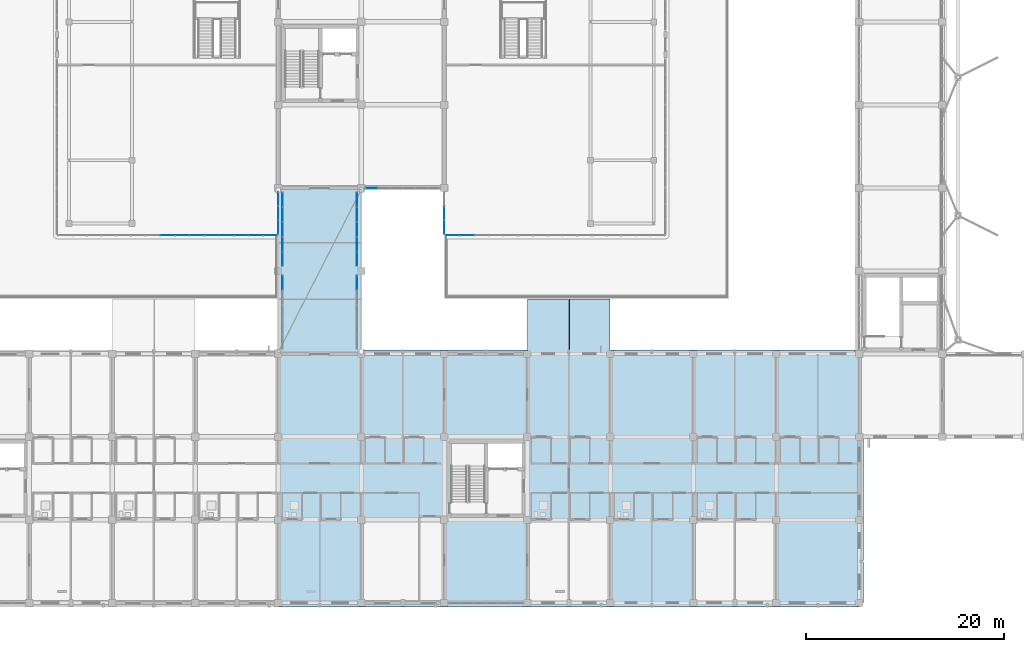
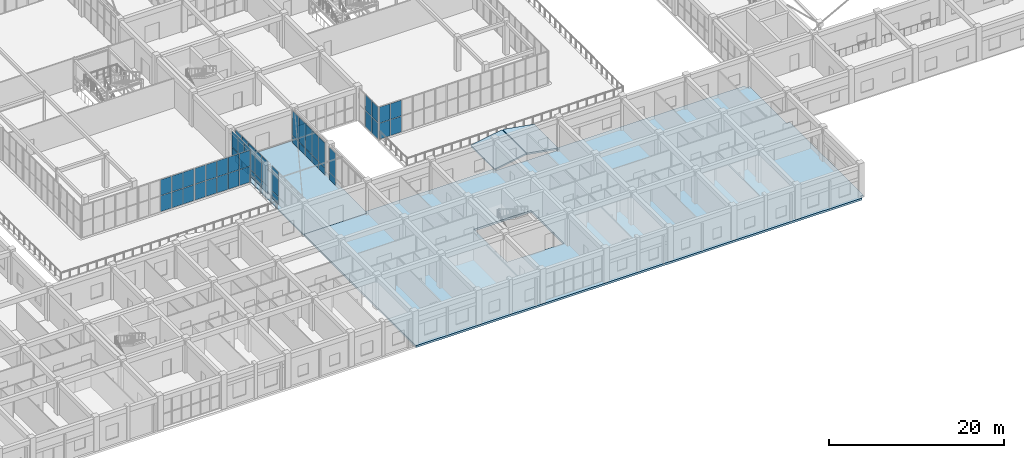
# One storey, part 104 of 158: 55 plates, 4 slabs, 10 elements without a shape of their own.
"""IFC4 building model written with IfcOpenShell, lengths in metres."""

import ifcopenshell
import ifcopenshell.guid

model = None  # the IFC model being written
_history = None  # IfcOwnerHistory: only IFC2X3 demands one
_inside = {}  # id of a spatial element -> (the spatial element, [elements in it])
_under = {}  # id of a project, library or spatial element -> (it, [spatial elements below it])
_declared = {}  # id of a project -> (the project, [libraries it declares])
_typed = {}  # id of a type object -> (the type object, [elements of that type])
_made_of = {}  # id of a material, layer set ... -> (it, [elements and type objects made of it])


def new_model(schema):
    """Start an empty IFC model of exactly this schema.

    Asked for "IFC4X3", IfcOpenShell would pick the latest addendum, in which some entities
    have other attributes; the version numbers below select the first issue.
    IFC2X3 requires an IfcOwnerHistory on every rooted entity: one is made here for all.
    """
    global model, _history
    if schema == "IFC4X3":
        model = ifcopenshell.file(schema_version=(4, 3, 0, 0))
    else:
        model = ifcopenshell.file(schema=schema)
    _inside.clear()
    _under.clear()
    _declared.clear()
    _typed.clear()
    _made_of.clear()
    _history = None
    if model.schema == "IFC2X3":
        org = make("IfcOrganization", Name="unknown")
        user = make(
            "IfcPersonAndOrganization",
            ThePerson=make("IfcPerson", FamilyName="unknown"),
            TheOrganization=org,
        )
        app = make(
            "IfcApplication",
            ApplicationDeveloper=org,
            Version="unknown",
            ApplicationFullName="unknown",
            ApplicationIdentifier="unknown",
        )
        _history = make(
            "IfcOwnerHistory",
            OwningUser=user,
            OwningApplication=app,
            ChangeAction="ADDED",
            CreationDate=0,
        )
    return model


def make(cls, **values):
    """One entity of the class cls with the attributes given. An attribute that is None is left unset."""
    return model.create_entity(
        cls, **{name: value for name, value in values.items() if value is not None}
    )


def rooted(cls, **values):
    """An entity with a GlobalId (a new one), such as an element, a storey or a relation."""
    return make(cls, GlobalId=ifcopenshell.guid.new(), OwnerHistory=_history, **values)


def si_unit(unit_type, name, prefix=None):
    """IfcSIUnit, for example si_unit("LENGTHUNIT", "METRE", prefix="MILLI")."""
    return make("IfcSIUnit", UnitType=unit_type, Prefix=prefix, Name=name)


def assignment(units):
    """IfcUnitAssignment: the units of a project."""
    return None if units is None else make("IfcUnitAssignment", Units=units)


def point(xyz):
    """IfcCartesianPoint."""
    return None if xyz is None else make("IfcCartesianPoint", Coordinates=xyz)


def direction(xyz):
    """IfcDirection."""
    return None if xyz is None else make("IfcDirection", DirectionRatios=xyz)


def frame(location, z_axis=None, x_axis=None):
    """IfcAxis2Placement3D, a coordinate frame: its origin and axes. An axis left out is left unset."""
    return make(
        "IfcAxis2Placement3D",
        Location=point(location),
        Axis=direction(z_axis),
        RefDirection=direction(x_axis),
    )


def frame_2d(location, x_axis=None):
    """IfcAxis2Placement2D, a coordinate frame in the plane: its origin and x axis."""
    return make(
        "IfcAxis2Placement2D", Location=point(location), RefDirection=direction(x_axis)
    )


def origin():
    """The frame at (0, 0, 0) with its axes left unset."""
    return frame((0.0, 0.0, 0.0))


def origin_2d():
    """The frame at (0, 0) in the plane with its x axis left unset."""
    return frame_2d((0.0, 0.0))


def place(relative_to, where):
    """IfcLocalPlacement: puts the frame where relative to a parent placement (None: the world)."""
    return make(
        "IfcLocalPlacement", PlacementRelTo=relative_to, RelativePlacement=where
    )


def context(
    kind, dimensions, precision=None, world=None, true_north=None, identifier=None
):
    """IfcGeometricRepresentationContext, for example the 3D "Model" context."""
    return make(
        "IfcGeometricRepresentationContext",
        ContextIdentifier=identifier,
        ContextType=kind,
        CoordinateSpaceDimension=dimensions,
        Precision=precision,
        WorldCoordinateSystem=world,
        TrueNorth=true_north,
    )


def subcontext(parent, identifier, kind, view, scale=None):
    """IfcGeometricRepresentationSubContext, for example "Body" below "Model"."""
    return make(
        "IfcGeometricRepresentationSubContext",
        ContextIdentifier=identifier,
        ContextType=kind,
        ParentContext=parent,
        TargetScale=scale,
        TargetView=view,
    )


def project(units=None, contexts=None):
    """IfcProject with its units and contexts."""
    return rooted(
        "IfcProject",
        Name="project",
        RepresentationContexts=contexts,
        UnitsInContext=assignment(units),
    )


def spatial(cls, under=None, at=None, **own):
    """A site, building, storey or space (cls), placed at a placement, below another one or the project."""
    s = rooted(cls, ObjectPlacement=at, **own)
    if under is not None:
        _under.setdefault(under.id(), (under, []))[1].append(s)
    return s


def polyline(points):
    """IfcPolyline through the points."""
    return make("IfcPolyline", Points=[point(p) for p in points])


def profile(cls, at=None, kind="AREA", **sizes):
    """A parametric profile (cls). Its sizes go by their IFC names, for example OverallWidth=200.0."""
    return make(cls, ProfileType=kind, Position=at, **sizes)


def rectangle(**sizes):
    """IfcRectangleProfileDef."""
    return profile("IfcRectangleProfileDef", **sizes)


def outline(outer, holes=None, kind="AREA"):
    """IfcArbitraryClosedProfileDef: a profile drawn as a closed curve; with holes, ...WithVoids."""
    if holes is None:
        return make("IfcArbitraryClosedProfileDef", ProfileType=kind, OuterCurve=outer)
    return make(
        "IfcArbitraryProfileDefWithVoids",
        ProfileType=kind,
        OuterCurve=outer,
        InnerCurves=holes,
    )


def extrude(swept, where, along, depth):
    """IfcExtrudedAreaSolid: the profile swept, set in the frame where, extruded along a direction by depth."""
    return make(
        "IfcExtrudedAreaSolid",
        SweptArea=swept,
        Position=where,
        ExtrudedDirection=direction(along),
        Depth=depth,
    )


def shape(context_of_items, identifier, shape_type, items):
    """IfcShapeRepresentation: the items that make up one representation, for example the "Body"."""
    return make(
        "IfcShapeRepresentation",
        ContextOfItems=context_of_items,
        RepresentationIdentifier=identifier,
        RepresentationType=shape_type,
        Items=items,
    )


def material(Name=None, Category=None):
    """IfcMaterial."""
    return make("IfcMaterial", Name=Name, Category=Category)


def layer(
    of_material, thickness, ventilated=None, Name=None, Category=None, Priority=None
):
    """IfcMaterialLayer: one layer of a wall or slab, of a material (None: an air gap)."""
    return make(
        "IfcMaterialLayer",
        Material=of_material,
        LayerThickness=thickness,
        IsVentilated=ventilated,
        Name=Name,
        Category=Category,
        Priority=Priority,
    )


def layer_set(layers, Name=None):
    """IfcMaterialLayerSet."""
    return make("IfcMaterialLayerSet", MaterialLayers=layers, LayerSetName=Name)


def made_of(thing, what):
    """Note that an element or type object is made of a material, layer set ...; save() writes the relation."""
    if what is not None:
        _made_of.setdefault(what.id(), (what, []))[1].append(thing)
    return thing


def type_object(cls, material=None, **own):
    """A type object (cls), such as IfcWallType, which elements share."""
    return made_of(rooted(cls, **own), material)


def element(
    cls,
    number,
    at=None,
    inside=None,
    cuts=None,
    type_object=None,
    material=None,
    context=None,
    identifier="Body",
    shape_type=None,
    held_by="IfcProductDefinitionShape",
    body=None,
    shapes=None,
    **own,
):
    """One element of the class cls, such as IfcWall. Its Tag is "e" and its number.

    at: its placement. inside: the storey or other place that contains it. cuts: it is an
    opening in that element (IfcRelVoidsElement). A single representation is given by context,
    identifier, shape_type and body (its items); several are given by shapes. held_by: the class
    of the entity that holds the representations. save() writes the other relations.
    """
    e = rooted(cls, Tag="e%d" % number, ObjectPlacement=at, **own)
    if body is not None:
        shapes = [shape(context, identifier, shape_type, body)]
    if shapes is not None:
        e.Representation = make(held_by, Representations=shapes)
    if inside is not None:
        _inside.setdefault(inside.id(), (inside, []))[1].append(e)
    if cuts is not None:
        rooted(
            "IfcRelVoidsElement", RelatingBuildingElement=cuts, RelatedOpeningElement=e
        )
    if type_object is not None:
        _typed.setdefault(type_object.id(), (type_object, []))[1].append(e)
    return made_of(e, material)


def aggregate(whole, parts):
    """IfcRelAggregates: a whole, such as a stair, and the parts it consists of."""
    return rooted("IfcRelAggregates", RelatingObject=whole, RelatedObjects=parts)


def save(model, path):
    """Write the relations noted so far, then the file.

    IfcRelAggregates (storeys below a building ...), IfcRelContainedInSpatialStructure (elements
    in a storey), IfcRelDefinesByType, IfcRelAssociatesMaterial and IfcRelDeclares: one each for
    every whole, place, type object, material and project.
    """
    for whole, parts in _under.values():
        aggregate(whole, parts)
    for where, things in _inside.values():
        rooted(
            "IfcRelContainedInSpatialStructure",
            RelatedElements=things,
            RelatingStructure=where,
        )
    for kind, things in _typed.values():
        rooted("IfcRelDefinesByType", RelatedObjects=things, RelatingType=kind)
    for what, things in _made_of.values():
        rooted("IfcRelAssociatesMaterial", RelatedObjects=things, RelatingMaterial=what)
    for by, libraries in _declared.values():
        rooted("IfcRelDeclares", RelatingContext=by, RelatedDefinitions=libraries)
    model.write(path)


model = new_model("IFC4")

# Units and contexts
model_context = context("Model", 3, precision=1e-05, world=origin(), true_north=direction((0.0, 1.0)))
body_context = subcontext(model_context, "Body", "Model", "MODEL_VIEW")
ifc_project = project(units=[si_unit("LENGTHUNIT", "METRE"), si_unit("AREAUNIT", "SQUARE_METRE"), si_unit("VOLUMEUNIT", "CUBIC_METRE"), si_unit("PLANEANGLEUNIT", "RADIAN"), si_unit("MASSUNIT", "GRAM", prefix="KILO")], contexts=[model_context])

# Site, building, storey
site_placement = place(None, origin())
site = spatial("IfcSite", under=ifc_project, at=site_placement, CompositionType="ELEMENT")
building_placement = place(site_placement, origin())
building = spatial("IfcBuilding", under=site, at=building_placement, Name="Trelvath General Hospital", CompositionType="ELEMENT")
storey_placement = place(building_placement, frame((0.0, 0.0, 8.10009765625)))
storey = spatial("IfcBuildingStorey", under=building, at=storey_placement, Name="L02", CompositionType="ELEMENT", Elevation=8.10009765625)

# Slab
ifc_material_1 = material(Name="Concrete C35/45", Category="concrete")
ifc_layer_1 = layer(ifc_material_1, 0.18994140625)
ifc_layer_set_1 = layer_set([ifc_layer_1], Name="Concrete C35/45")
slab_type_1 = type_object("IfcSlabType", Name="BridgeDeck 190", PredefinedType="FLOOR", material=ifc_layer_set_1)
slab_1_placement = place(storey_placement, frame((0.0, 0.0, -0.190185546875)))
element("IfcSlab", 1, at=slab_1_placement, inside=storey, type_object=slab_type_1, Name="Courtyard Bridge Deck BRG-S-C L02", PredefinedType="FLOOR", context=body_context, shape_type="SweptSolid", body=[
    extrude(outline(polyline([(75.60009765625, 25.199951171875), (84.0, 25.199951171875), (84.0, 42.0), (75.60009765625, 42.0), (75.60009765625, 25.199951171875)])), origin(), (0.0, 0.0, 1.0), 0.190185546875),
])

# Curtain wall, plates
ifc_material_2 = material(Name="Anodised aluminium and low-E glass", Category="aluminium")
ifc_layer_2 = layer(ifc_material_2, 0.139892578125)
ifc_layer_set_2 = layer_set([ifc_layer_2], Name="Anodised aluminium and low-E glass")
curtain_wall_type_1 = type_object("IfcCurtainWallType", Name="CW CrystalCube 743 456 14", PredefinedType="USERDEFINED", material=ifc_layer_set_2)
curtain_wall_1_placement = place(storey_placement, origin())
curtain_wall_1 = element("IfcCurtainWall", 2, at=curtain_wall_1_placement, inside=storey, type_object=curtain_wall_type_1, Name="Crystal Cube Curtain Wall CUBE-W-T1 S2 L02", ObjectType="Unitised Glazed Curtain Wall", PredefinedType="USERDEFINED")
ifc_material_3 = material(Name="Low-E laminated glass", Category="glass")
ifc_layer_3 = layer(ifc_material_3, 0.028076171875)
ifc_layer_set_3 = layer_set([ifc_layer_3], Name="Low-E laminated glass")
plate_type_1 = type_object("IfcPlateType", Name="CurtainPanel Glass28", PredefinedType="CURTAIN_PANEL", material=ifc_layer_set_3)
plate_1_placement = place(storey_placement, frame((67.355712890625, 37.199951171875, 0.059814453125), z_axis=(0.0, 0.0, 1.0), x_axis=(-1.0, 0.0, 0.0)))
plate_1 = element("IfcPlate", 3, at=plate_1_placement, type_object=plate_type_1, Name="CW-191 panel 1.1", PredefinedType="CURTAIN_PANEL", context=body_context, shape_type="SweptSolid", body=[
    extrude(rectangle(XDim=1.395263671875, YDim=0.028076171875, at=origin_2d()), origin(), (0.0, 0.0, 1.0), 2.18994140625),
])
plate_2_placement = place(storey_placement, frame((67.355712890625, 37.199951171875, 2.309814453125), z_axis=(0.0, 0.0, 1.0), x_axis=(-1.0, 0.0, 0.0)))
plate_2 = element("IfcPlate", 4, at=plate_2_placement, type_object=plate_type_1, Name="CW-191 panel 1.2", PredefinedType="CURTAIN_PANEL", context=body_context, shape_type="SweptSolid", body=[
    extrude(rectangle(XDim=1.395263671875, YDim=0.028076171875, at=origin_2d()), origin(), (0.0, 0.0, 1.0), 2.18994140625),
])
plate_3_placement = place(storey_placement, frame((65.88525390625, 37.199951171875, 0.059814453125), z_axis=(0.0, 0.0, 1.0), x_axis=(-1.0, 0.0, 0.0)))
plate_3 = element("IfcPlate", 5, at=plate_3_placement, type_object=plate_type_1, Name="CW-191 panel 2.1", PredefinedType="CURTAIN_PANEL", context=body_context, shape_type="SweptSolid", body=[
    extrude(rectangle(XDim=1.42529296875, YDim=0.028076171875, at=origin_2d()), origin(), (0.0, 0.0, 1.0), 2.18994140625),
])
plate_4_placement = place(storey_placement, frame((65.88525390625, 37.199951171875, 2.309814453125), z_axis=(0.0, 0.0, 1.0), x_axis=(-1.0, 0.0, 0.0)))
plate_4 = element("IfcPlate", 6, at=plate_4_placement, type_object=plate_type_1, Name="CW-191 panel 2.2", PredefinedType="CURTAIN_PANEL", context=body_context, shape_type="SweptSolid", body=[
    extrude(rectangle(XDim=1.42529296875, YDim=0.028076171875, at=origin_2d()), origin(), (0.0, 0.0, 1.0), 2.18994140625),
])
plate_5_placement = place(storey_placement, frame((64.39990234375, 37.199951171875, 0.059814453125), z_axis=(0.0, 0.0, 1.0), x_axis=(-1.0, 0.0, 0.0)))
plate_5 = element("IfcPlate", 7, at=plate_5_placement, type_object=plate_type_1, Name="CW-191 panel 3.1", PredefinedType="CURTAIN_PANEL", context=body_context, shape_type="SweptSolid", body=[
    extrude(rectangle(XDim=1.42529296875, YDim=0.028076171875, at=origin_2d()), origin(), (0.0, 0.0, 1.0), 2.18994140625),
])
plate_6_placement = place(storey_placement, frame((64.39990234375, 37.199951171875, 2.309814453125), z_axis=(0.0, 0.0, 1.0), x_axis=(-1.0, 0.0, 0.0)))
plate_6 = element("IfcPlate", 8, at=plate_6_placement, type_object=plate_type_1, Name="CW-191 panel 3.2", PredefinedType="CURTAIN_PANEL", context=body_context, shape_type="SweptSolid", body=[
    extrude(rectangle(XDim=1.42529296875, YDim=0.028076171875, at=origin_2d()), origin(), (0.0, 0.0, 1.0), 2.18994140625),
])
aggregate(curtain_wall_1, [plate_1, plate_2, plate_3, plate_4, plate_5, plate_6])

ifc_material_4 = material(Name="Anodised aluminium and low-E glass", Category="aluminium")
ifc_layer_4 = layer(ifc_material_4, 0.139892578125)
ifc_layer_set_4 = layer_set([ifc_layer_4], Name="Anodised aluminium and low-E glass")
curtain_wall_type_2 = type_object("IfcCurtainWallType", Name="CW CrystalCube 737 456 14", PredefinedType="USERDEFINED", material=ifc_layer_set_4)
curtain_wall_2_placement = place(storey_placement, origin())
curtain_wall_2 = element("IfcCurtainWall", 9, at=curtain_wall_2_placement, inside=storey, type_object=curtain_wall_type_2, Name="Crystal Cube Curtain Wall CUBE-W-T1 S3 L02", ObjectType="Unitised Glazed Curtain Wall", PredefinedType="USERDEFINED")
plate_7_placement = place(storey_placement, frame((74.768310546875, 37.199951171875, 0.059814453125), z_axis=(0.0, 0.0, 1.0), x_axis=(-1.0, 0.0, 0.0)))
plate_7 = element("IfcPlate", 10, at=plate_7_placement, type_object=plate_type_1, Name="CW-192 panel 1.1", PredefinedType="CURTAIN_PANEL", context=body_context, shape_type="SweptSolid", body=[
    extrude(rectangle(XDim=1.38330078125, YDim=0.028076171875, at=origin_2d()), origin(), (0.0, 0.0, 1.0), 2.18994140625),
])
plate_8_placement = place(storey_placement, frame((74.768310546875, 37.199951171875, 2.309814453125), z_axis=(0.0, 0.0, 1.0), x_axis=(-1.0, 0.0, 0.0)))
plate_8 = element("IfcPlate", 11, at=plate_8_placement, type_object=plate_type_1, Name="CW-192 panel 1.2", PredefinedType="CURTAIN_PANEL", context=body_context, shape_type="SweptSolid", body=[
    extrude(rectangle(XDim=1.38330078125, YDim=0.028076171875, at=origin_2d()), origin(), (0.0, 0.0, 1.0), 2.18994140625),
])
plate_9_placement = place(storey_placement, frame((73.31005859375, 37.199951171875, 0.059814453125), z_axis=(0.0, 0.0, 1.0), x_axis=(-1.0, 0.0, 0.0)))
plate_9 = element("IfcPlate", 12, at=plate_9_placement, type_object=plate_type_1, Name="CW-192 panel 2.1", PredefinedType="CURTAIN_PANEL", context=body_context, shape_type="SweptSolid", body=[
    extrude(rectangle(XDim=1.413330078125, YDim=0.028076171875, at=origin_2d()), origin(), (0.0, 0.0, 1.0), 2.18994140625),
])
plate_10_placement = place(storey_placement, frame((73.31005859375, 37.199951171875, 2.309814453125), z_axis=(0.0, 0.0, 1.0), x_axis=(-1.0, 0.0, 0.0)))
plate_10 = element("IfcPlate", 13, at=plate_10_placement, type_object=plate_type_1, Name="CW-192 panel 2.2", PredefinedType="CURTAIN_PANEL", context=body_context, shape_type="SweptSolid", body=[
    extrude(rectangle(XDim=1.413330078125, YDim=0.028076171875, at=origin_2d()), origin(), (0.0, 0.0, 1.0), 2.18994140625),
])
plate_11_placement = place(storey_placement, frame((71.836669921875, 37.199951171875, 0.059814453125), z_axis=(0.0, 0.0, 1.0), x_axis=(-1.0, 0.0, 0.0)))
plate_11 = element("IfcPlate", 14, at=plate_11_placement, type_object=plate_type_1, Name="CW-192 panel 3.1", PredefinedType="CURTAIN_PANEL", context=body_context, shape_type="SweptSolid", body=[
    extrude(rectangle(XDim=1.413330078125, YDim=0.028076171875, at=origin_2d()), origin(), (0.0, 0.0, 1.0), 2.18994140625),
])
plate_12_placement = place(storey_placement, frame((71.836669921875, 37.199951171875, 2.309814453125), z_axis=(0.0, 0.0, 1.0), x_axis=(-1.0, 0.0, 0.0)))
plate_12 = element("IfcPlate", 15, at=plate_12_placement, type_object=plate_type_1, Name="CW-192 panel 3.2", PredefinedType="CURTAIN_PANEL", context=body_context, shape_type="SweptSolid", body=[
    extrude(rectangle(XDim=1.413330078125, YDim=0.028076171875, at=origin_2d()), origin(), (0.0, 0.0, 1.0), 2.18994140625),
])
plate_13_placement = place(storey_placement, frame((70.36328125, 37.199951171875, 0.059814453125), z_axis=(0.0, 0.0, 1.0), x_axis=(-1.0, 0.0, 0.0)))
plate_13 = element("IfcPlate", 16, at=plate_13_placement, type_object=plate_type_1, Name="CW-192 panel 4.1", PredefinedType="CURTAIN_PANEL", context=body_context, shape_type="SweptSolid", body=[
    extrude(rectangle(XDim=1.413330078125, YDim=0.028076171875, at=origin_2d()), origin(), (0.0, 0.0, 1.0), 2.18994140625),
])
plate_14_placement = place(storey_placement, frame((70.36328125, 37.199951171875, 2.309814453125), z_axis=(0.0, 0.0, 1.0), x_axis=(-1.0, 0.0, 0.0)))
plate_14 = element("IfcPlate", 17, at=plate_14_placement, type_object=plate_type_1, Name="CW-192 panel 4.2", PredefinedType="CURTAIN_PANEL", context=body_context, shape_type="SweptSolid", body=[
    extrude(rectangle(XDim=1.413330078125, YDim=0.028076171875, at=origin_2d()), origin(), (0.0, 0.0, 1.0), 2.18994140625),
])
plate_15_placement = place(storey_placement, frame((68.905029296875, 37.199951171875, 0.059814453125), z_axis=(0.0, 0.0, 1.0), x_axis=(-1.0, 0.0, 0.0)))
plate_15 = element("IfcPlate", 18, at=plate_15_placement, type_object=plate_type_1, Name="CW-192 panel 5.1", PredefinedType="CURTAIN_PANEL", context=body_context, shape_type="SweptSolid", body=[
    extrude(rectangle(XDim=1.38330078125, YDim=0.028076171875, at=origin_2d()), origin(), (0.0, 0.0, 1.0), 2.18994140625),
])
plate_16_placement = place(storey_placement, frame((68.905029296875, 37.199951171875, 2.309814453125), z_axis=(0.0, 0.0, 1.0), x_axis=(-1.0, 0.0, 0.0)))
plate_16 = element("IfcPlate", 19, at=plate_16_placement, type_object=plate_type_1, Name="CW-192 panel 5.2", PredefinedType="CURTAIN_PANEL", context=body_context, shape_type="SweptSolid", body=[
    extrude(rectangle(XDim=1.38330078125, YDim=0.028076171875, at=origin_2d()), origin(), (0.0, 0.0, 1.0), 2.18994140625),
])
aggregate(curtain_wall_2, [plate_7, plate_8, plate_9, plate_10, plate_11, plate_12, plate_13, plate_14, plate_15, plate_16])

ifc_material_5 = material(Name="Anodised aluminium and low-E glass", Category="aluminium")
ifc_layer_5 = layer(ifc_material_5, 0.139892578125)
ifc_layer_set_5 = layer_set([ifc_layer_5], Name="Anodised aluminium and low-E glass")
curtain_wall_type_3 = type_object("IfcCurtainWallType", Name="CW CrystalCube 433 456 14", PredefinedType="USERDEFINED", material=ifc_layer_set_5)
curtain_wall_3_placement = place(storey_placement, origin())
curtain_wall_3 = element("IfcCurtainWall", 20, at=curtain_wall_3_placement, inside=storey, type_object=curtain_wall_type_3, Name="Crystal Cube Curtain Wall CUBE-W-T1 E1 L02", ObjectType="Unitised Glazed Curtain Wall", PredefinedType="USERDEFINED")
plate_17_placement = place(storey_placement, frame((75.60009765625, 40.873291015625, 0.059814453125), z_axis=(0.0, 0.0, 1.0), x_axis=(0.0, -1.0, 0.0)))
plate_17 = element("IfcPlate", 21, at=plate_17_placement, type_object=plate_type_1, Name="CW-197 panel 1.1", PredefinedType="CURTAIN_PANEL", context=body_context, shape_type="SweptSolid", body=[
    extrude(rectangle(XDim=1.353271484375, YDim=0.028076171875, at=origin_2d()), origin(), (0.0, 0.0, 1.0), 2.18994140625),
])
plate_18_placement = place(storey_placement, frame((75.60009765625, 40.873291015625, 2.309814453125), z_axis=(0.0, 0.0, 1.0), x_axis=(0.0, -1.0, 0.0)))
plate_18 = element("IfcPlate", 22, at=plate_18_placement, type_object=plate_type_1, Name="CW-197 panel 1.2", PredefinedType="CURTAIN_PANEL", context=body_context, shape_type="SweptSolid", body=[
    extrude(rectangle(XDim=1.353271484375, YDim=0.028076171875, at=origin_2d()), origin(), (0.0, 0.0, 1.0), 2.18994140625),
])
plate_19_placement = place(storey_placement, frame((75.60009765625, 39.445068359375, 0.059814453125), z_axis=(0.0, 0.0, 1.0), x_axis=(0.0, -1.0, 0.0)))
plate_19 = element("IfcPlate", 23, at=plate_19_placement, type_object=plate_type_1, Name="CW-197 panel 2.1", PredefinedType="CURTAIN_PANEL", context=body_context, shape_type="SweptSolid", body=[
    extrude(rectangle(XDim=1.38330078125, YDim=0.028076171875, at=origin_2d()), origin(), (0.0, 0.0, 1.0), 2.18994140625),
])
plate_20_placement = place(storey_placement, frame((75.60009765625, 39.445068359375, 2.309814453125), z_axis=(0.0, 0.0, 1.0), x_axis=(0.0, -1.0, 0.0)))
plate_20 = element("IfcPlate", 24, at=plate_20_placement, type_object=plate_type_1, Name="CW-197 panel 2.2", PredefinedType="CURTAIN_PANEL", context=body_context, shape_type="SweptSolid", body=[
    extrude(rectangle(XDim=1.38330078125, YDim=0.028076171875, at=origin_2d()), origin(), (0.0, 0.0, 1.0), 2.18994140625),
])
plate_21_placement = place(storey_placement, frame((75.60009765625, 38.0166015625, 0.059814453125), z_axis=(0.0, 0.0, 1.0), x_axis=(0.0, -1.0, 0.0)))
plate_21 = element("IfcPlate", 25, at=plate_21_placement, type_object=plate_type_1, Name="CW-197 panel 3.1", PredefinedType="CURTAIN_PANEL", context=body_context, shape_type="SweptSolid", body=[
    extrude(rectangle(XDim=1.353271484375, YDim=0.028076171875, at=origin_2d()), origin(), (0.0, 0.0, 1.0), 2.18994140625),
])
plate_22_placement = place(storey_placement, frame((75.60009765625, 38.0166015625, 2.309814453125), z_axis=(0.0, 0.0, 1.0), x_axis=(0.0, -1.0, 0.0)))
plate_22 = element("IfcPlate", 26, at=plate_22_placement, type_object=plate_type_1, Name="CW-197 panel 3.2", PredefinedType="CURTAIN_PANEL", context=body_context, shape_type="SweptSolid", body=[
    extrude(rectangle(XDim=1.353271484375, YDim=0.028076171875, at=origin_2d()), origin(), (0.0, 0.0, 1.0), 2.18994140625),
])
aggregate(curtain_wall_3, [plate_17, plate_18, plate_19, plate_20, plate_21, plate_22])

curtain_wall_4_placement = place(storey_placement, origin())
curtain_wall_4 = element("IfcCurtainWall", 27, at=curtain_wall_4_placement, inside=storey, type_object=curtain_wall_type_2, Name="Crystal Cube Curtain Wall CUBE-E-T1 S1 L02", ObjectType="Unitised Glazed Curtain Wall", PredefinedType="USERDEFINED")
plate_23_placement = place(storey_placement, frame((94.68994140625, 37.199951171875, 0.059814453125), z_axis=(0.0, 0.0, 1.0), x_axis=(-1.0, 0.0, 0.0)))
plate_23 = element("IfcPlate", 28, at=plate_23_placement, type_object=plate_type_1, Name="CW-205 panel 4.1", PredefinedType="CURTAIN_PANEL", context=body_context, shape_type="SweptSolid", body=[
    extrude(rectangle(XDim=1.413330078125, YDim=0.028076171875, at=origin_2d()), origin(), (0.0, 0.0, 1.0), 2.18994140625),
])
plate_24_placement = place(storey_placement, frame((94.68994140625, 37.199951171875, 2.309814453125), z_axis=(0.0, 0.0, 1.0), x_axis=(-1.0, 0.0, 0.0)))
plate_24 = element("IfcPlate", 29, at=plate_24_placement, type_object=plate_type_1, Name="CW-205 panel 4.2", PredefinedType="CURTAIN_PANEL", context=body_context, shape_type="SweptSolid", body=[
    extrude(rectangle(XDim=1.413330078125, YDim=0.028076171875, at=origin_2d()), origin(), (0.0, 0.0, 1.0), 2.18994140625),
])
plate_25_placement = place(storey_placement, frame((93.231689453125, 37.199951171875, 0.059814453125), z_axis=(0.0, 0.0, 1.0), x_axis=(-1.0, 0.0, 0.0)))
plate_25 = element("IfcPlate", 30, at=plate_25_placement, type_object=plate_type_1, Name="CW-205 panel 5.1", PredefinedType="CURTAIN_PANEL", context=body_context, shape_type="SweptSolid", body=[
    extrude(rectangle(XDim=1.38330078125, YDim=0.028076171875, at=origin_2d()), origin(), (0.0, 0.0, 1.0), 2.18994140625),
])
plate_26_placement = place(storey_placement, frame((93.231689453125, 37.199951171875, 2.309814453125), z_axis=(0.0, 0.0, 1.0), x_axis=(-1.0, 0.0, 0.0)))
plate_26 = element("IfcPlate", 31, at=plate_26_placement, type_object=plate_type_1, Name="CW-205 panel 5.2", PredefinedType="CURTAIN_PANEL", context=body_context, shape_type="SweptSolid", body=[
    extrude(rectangle(XDim=1.38330078125, YDim=0.028076171875, at=origin_2d()), origin(), (0.0, 0.0, 1.0), 2.18994140625),
])
aggregate(curtain_wall_4, [plate_23, plate_24, plate_25, plate_26])

curtain_wall_5_placement = place(storey_placement, origin())
curtain_wall_5 = element("IfcCurtainWall", 32, at=curtain_wall_5_placement, inside=storey, type_object=curtain_wall_type_3, Name="Crystal Cube Curtain Wall CUBE-E-T1 W1 L02", ObjectType="Unitised Glazed Curtain Wall", PredefinedType="USERDEFINED")
plate_27_placement = place(storey_placement, frame((92.39990234375, 38.0166015625, 0.059814453125), z_axis=(0.0, 0.0, 1.0), x_axis=(0.0, 1.0, 0.0)))
plate_27 = element("IfcPlate", 33, at=plate_27_placement, type_object=plate_type_1, Name="CW-212 panel 1.1", PredefinedType="CURTAIN_PANEL", context=body_context, shape_type="SweptSolid", body=[
    extrude(rectangle(XDim=1.353271484375, YDim=0.028076171875, at=origin_2d()), origin(), (0.0, 0.0, 1.0), 2.18994140625),
])
plate_28_placement = place(storey_placement, frame((92.39990234375, 38.0166015625, 2.309814453125), z_axis=(0.0, 0.0, 1.0), x_axis=(0.0, 1.0, 0.0)))
plate_28 = element("IfcPlate", 34, at=plate_28_placement, type_object=plate_type_1, Name="CW-212 panel 1.2", PredefinedType="CURTAIN_PANEL", context=body_context, shape_type="SweptSolid", body=[
    extrude(rectangle(XDim=1.353271484375, YDim=0.028076171875, at=origin_2d()), origin(), (0.0, 0.0, 1.0), 2.18994140625),
])
plate_29_placement = place(storey_placement, frame((92.39990234375, 39.445068359375, 0.059814453125), z_axis=(0.0, 0.0, 1.0), x_axis=(0.0, 1.0, 0.0)))
plate_29 = element("IfcPlate", 35, at=plate_29_placement, type_object=plate_type_1, Name="CW-212 panel 2.1", PredefinedType="CURTAIN_PANEL", context=body_context, shape_type="SweptSolid", body=[
    extrude(rectangle(XDim=1.38330078125, YDim=0.028076171875, at=origin_2d()), origin(), (0.0, 0.0, 1.0), 2.18994140625),
])
plate_30_placement = place(storey_placement, frame((92.39990234375, 39.445068359375, 2.309814453125), z_axis=(0.0, 0.0, 1.0), x_axis=(0.0, 1.0, 0.0)))
plate_30 = element("IfcPlate", 36, at=plate_30_placement, type_object=plate_type_1, Name="CW-212 panel 2.2", PredefinedType="CURTAIN_PANEL", context=body_context, shape_type="SweptSolid", body=[
    extrude(rectangle(XDim=1.38330078125, YDim=0.028076171875, at=origin_2d()), origin(), (0.0, 0.0, 1.0), 2.18994140625),
])
aggregate(curtain_wall_5, [plate_27, plate_28, plate_29, plate_30])

ifc_material_6 = material(Name="Anodised aluminium and low-E glass", Category="aluminium")
ifc_layer_6 = layer(ifc_material_6, 0.139892578125)
ifc_layer_set_6 = layer_set([ifc_layer_6], Name="Anodised aluminium and low-E glass")
curtain_wall_type_4 = type_object("IfcCurtainWallType", Name="CW Bridge 752 461", PredefinedType="USERDEFINED", material=ifc_layer_set_6)
curtain_wall_6_placement = place(storey_placement, origin())
curtain_wall_6 = element("IfcCurtainWall", 37, at=curtain_wall_6_placement, inside=storey, type_object=curtain_wall_type_4, Name="Glazed Bridge Curtain Wall BRG-S-C W L02", ObjectType="Unitised Glazed Curtain Wall", PredefinedType="USERDEFINED")
plate_31_placement = place(storey_placement, frame((76.0400390625, 32.39306640625, 0.06005859375), z_axis=(0.0, 0.0, 1.0), x_axis=(0.0, 1.0, 0.0)))
plate_31 = element("IfcPlate", 38, at=plate_31_placement, type_object=plate_type_1, Name="CW-226 panel 5.1", PredefinedType="CURTAIN_PANEL", context=body_context, shape_type="SweptSolid", body=[
    extrude(rectangle(XDim=1.4140625, YDim=0.028076171875, at=origin_2d()), origin(), (0.0, 0.0, 1.0), 1.010009765625),
])
plate_32_placement = place(storey_placement, frame((76.0400390625, 32.39306640625, 1.1298828125), z_axis=(0.0, 0.0, 1.0), x_axis=(0.0, 1.0, 0.0)))
plate_32 = element("IfcPlate", 39, at=plate_32_placement, type_object=plate_type_1, Name="CW-226 panel 5.2", PredefinedType="CURTAIN_PANEL", context=body_context, shape_type="SweptSolid", body=[
    extrude(rectangle(XDim=1.4140625, YDim=0.028076171875, at=origin_2d()), origin(), (0.0, 0.0, 1.0), 3.419921875),
])
aggregate(curtain_wall_6, [plate_31, plate_32])

curtain_wall_7_placement = place(storey_placement, origin())
curtain_wall_7 = element("IfcCurtainWall", 40, at=curtain_wall_7_placement, inside=storey, type_object=curtain_wall_type_4, Name="Glazed Bridge Curtain Wall BRG-S-C E L02", ObjectType="Unitised Glazed Curtain Wall", PredefinedType="USERDEFINED")
plate_33_placement = place(storey_placement, frame((83.56005859375, 32.39306640625, 0.06005859375), z_axis=(0.0, 0.0, 1.0), x_axis=(0.0, -1.0, 0.0)))
plate_33 = element("IfcPlate", 41, at=plate_33_placement, type_object=plate_type_1, Name="CW-227 panel 1.1", PredefinedType="CURTAIN_PANEL", context=body_context, shape_type="SweptSolid", body=[
    extrude(rectangle(XDim=1.4140625, YDim=0.028076171875, at=origin_2d()), origin(), (0.0, 0.0, 1.0), 1.010009765625),
])
plate_34_placement = place(storey_placement, frame((83.56005859375, 32.39306640625, 1.1298828125), z_axis=(0.0, 0.0, 1.0), x_axis=(0.0, -1.0, 0.0)))
plate_34 = element("IfcPlate", 42, at=plate_34_placement, type_object=plate_type_1, Name="CW-227 panel 1.2", PredefinedType="CURTAIN_PANEL", context=body_context, shape_type="SweptSolid", body=[
    extrude(rectangle(XDim=1.4140625, YDim=0.028076171875, at=origin_2d()), origin(), (0.0, 0.0, 1.0), 3.419921875),
])
aggregate(curtain_wall_7, [plate_33, plate_34])

curtain_wall_8_placement = place(storey_placement, origin())
curtain_wall_8 = element("IfcCurtainWall", 43, at=curtain_wall_8_placement, inside=storey, type_object=curtain_wall_type_4, Name="Glazed Bridge Curtain Wall BRG-S-C W L02", ObjectType="Unitised Glazed Curtain Wall", PredefinedType="USERDEFINED")
plate_35_placement = place(storey_placement, frame((76.0400390625, 34.806884765625, 0.06005859375), z_axis=(0.0, 0.0, 1.0), x_axis=(0.0, 1.0, 0.0)))
plate_35 = element("IfcPlate", 44, at=plate_35_placement, type_object=plate_type_1, Name="CW-228 panel 1.1", PredefinedType="CURTAIN_PANEL", context=body_context, shape_type="SweptSolid", body=[
    extrude(rectangle(XDim=1.4140625, YDim=0.028076171875, at=origin_2d()), origin(), (0.0, 0.0, 1.0), 1.010009765625),
])
plate_36_placement = place(storey_placement, frame((76.0400390625, 34.806884765625, 1.1298828125), z_axis=(0.0, 0.0, 1.0), x_axis=(0.0, 1.0, 0.0)))
plate_36 = element("IfcPlate", 45, at=plate_36_placement, type_object=plate_type_1, Name="CW-228 panel 1.2", PredefinedType="CURTAIN_PANEL", context=body_context, shape_type="SweptSolid", body=[
    extrude(rectangle(XDim=1.4140625, YDim=0.028076171875, at=origin_2d()), origin(), (0.0, 0.0, 1.0), 3.419921875),
])
plate_37_placement = place(storey_placement, frame((76.0400390625, 36.2958984375, 0.06005859375), z_axis=(0.0, 0.0, 1.0), x_axis=(0.0, 1.0, 0.0)))
plate_37 = element("IfcPlate", 46, at=plate_37_placement, type_object=plate_type_1, Name="CW-228 panel 2.1", PredefinedType="CURTAIN_PANEL", context=body_context, shape_type="SweptSolid", body=[
    extrude(rectangle(XDim=1.444091796875, YDim=0.028076171875, at=origin_2d()), origin(), (0.0, 0.0, 1.0), 1.010009765625),
])
plate_38_placement = place(storey_placement, frame((76.0400390625, 36.2958984375, 1.1298828125), z_axis=(0.0, 0.0, 1.0), x_axis=(0.0, 1.0, 0.0)))
plate_38 = element("IfcPlate", 47, at=plate_38_placement, type_object=plate_type_1, Name="CW-228 panel 2.2", PredefinedType="CURTAIN_PANEL", context=body_context, shape_type="SweptSolid", body=[
    extrude(rectangle(XDim=1.444091796875, YDim=0.028076171875, at=origin_2d()), origin(), (0.0, 0.0, 1.0), 3.419921875),
])
plate_39_placement = place(storey_placement, frame((76.0400390625, 37.800048828125, 0.06005859375), z_axis=(0.0, 0.0, 1.0), x_axis=(0.0, 1.0, 0.0)))
plate_39 = element("IfcPlate", 48, at=plate_39_placement, type_object=plate_type_1, Name="CW-228 panel 3.1", PredefinedType="CURTAIN_PANEL", context=body_context, shape_type="SweptSolid", body=[
    extrude(rectangle(XDim=1.444091796875, YDim=0.028076171875, at=origin_2d()), origin(), (0.0, 0.0, 1.0), 1.010009765625),
])
plate_40_placement = place(storey_placement, frame((76.0400390625, 37.800048828125, 1.1298828125), z_axis=(0.0, 0.0, 1.0), x_axis=(0.0, 1.0, 0.0)))
plate_40 = element("IfcPlate", 49, at=plate_40_placement, type_object=plate_type_1, Name="CW-228 panel 3.2", PredefinedType="CURTAIN_PANEL", context=body_context, shape_type="SweptSolid", body=[
    extrude(rectangle(XDim=1.444091796875, YDim=0.028076171875, at=origin_2d()), origin(), (0.0, 0.0, 1.0), 3.419921875),
])
plate_41_placement = place(storey_placement, frame((76.0400390625, 39.303955078125, 0.06005859375), z_axis=(0.0, 0.0, 1.0), x_axis=(0.0, 1.0, 0.0)))
plate_41 = element("IfcPlate", 50, at=plate_41_placement, type_object=plate_type_1, Name="CW-228 panel 4.1", PredefinedType="CURTAIN_PANEL", context=body_context, shape_type="SweptSolid", body=[
    extrude(rectangle(XDim=1.444091796875, YDim=0.028076171875, at=origin_2d()), origin(), (0.0, 0.0, 1.0), 1.010009765625),
])
plate_42_placement = place(storey_placement, frame((76.0400390625, 39.303955078125, 1.1298828125), z_axis=(0.0, 0.0, 1.0), x_axis=(0.0, 1.0, 0.0)))
plate_42 = element("IfcPlate", 51, at=plate_42_placement, type_object=plate_type_1, Name="CW-228 panel 4.2", PredefinedType="CURTAIN_PANEL", context=body_context, shape_type="SweptSolid", body=[
    extrude(rectangle(XDim=1.444091796875, YDim=0.028076171875, at=origin_2d()), origin(), (0.0, 0.0, 1.0), 3.419921875),
])
plate_43_placement = place(storey_placement, frame((76.0400390625, 40.79296875, 0.06005859375), z_axis=(0.0, 0.0, 1.0), x_axis=(0.0, 1.0, 0.0)))
plate_43 = element("IfcPlate", 52, at=plate_43_placement, type_object=plate_type_1, Name="CW-228 panel 5.1", PredefinedType="CURTAIN_PANEL", context=body_context, shape_type="SweptSolid", body=[
    extrude(rectangle(XDim=1.4140625, YDim=0.028076171875, at=origin_2d()), origin(), (0.0, 0.0, 1.0), 1.010009765625),
])
plate_44_placement = place(storey_placement, frame((76.0400390625, 40.79296875, 1.1298828125), z_axis=(0.0, 0.0, 1.0), x_axis=(0.0, 1.0, 0.0)))
plate_44 = element("IfcPlate", 53, at=plate_44_placement, type_object=plate_type_1, Name="CW-228 panel 5.2", PredefinedType="CURTAIN_PANEL", context=body_context, shape_type="SweptSolid", body=[
    extrude(rectangle(XDim=1.4140625, YDim=0.028076171875, at=origin_2d()), origin(), (0.0, 0.0, 1.0), 3.419921875),
])
aggregate(curtain_wall_8, [plate_35, plate_36, plate_37, plate_38, plate_39, plate_40, plate_41, plate_42, plate_43, plate_44])

curtain_wall_9_placement = place(storey_placement, origin())
curtain_wall_9 = element("IfcCurtainWall", 54, at=curtain_wall_9_placement, inside=storey, type_object=curtain_wall_type_4, Name="Glazed Bridge Curtain Wall BRG-S-C E L02", ObjectType="Unitised Glazed Curtain Wall", PredefinedType="USERDEFINED")
plate_45_placement = place(storey_placement, frame((83.56005859375, 40.79296875, 0.06005859375), z_axis=(0.0, 0.0, 1.0), x_axis=(0.0, -1.0, 0.0)))
plate_45 = element("IfcPlate", 55, at=plate_45_placement, type_object=plate_type_1, Name="CW-229 panel 1.1", PredefinedType="CURTAIN_PANEL", context=body_context, shape_type="SweptSolid", body=[
    extrude(rectangle(XDim=1.4140625, YDim=0.028076171875, at=origin_2d()), origin(), (0.0, 0.0, 1.0), 1.010009765625),
])
plate_46_placement = place(storey_placement, frame((83.56005859375, 40.79296875, 1.1298828125), z_axis=(0.0, 0.0, 1.0), x_axis=(0.0, -1.0, 0.0)))
plate_46 = element("IfcPlate", 56, at=plate_46_placement, type_object=plate_type_1, Name="CW-229 panel 1.2", PredefinedType="CURTAIN_PANEL", context=body_context, shape_type="SweptSolid", body=[
    extrude(rectangle(XDim=1.4140625, YDim=0.028076171875, at=origin_2d()), origin(), (0.0, 0.0, 1.0), 3.419921875),
])
plate_47_placement = place(storey_placement, frame((83.56005859375, 39.303955078125, 0.06005859375), z_axis=(0.0, 0.0, 1.0), x_axis=(0.0, -1.0, 0.0)))
plate_47 = element("IfcPlate", 57, at=plate_47_placement, type_object=plate_type_1, Name="CW-229 panel 2.1", PredefinedType="CURTAIN_PANEL", context=body_context, shape_type="SweptSolid", body=[
    extrude(rectangle(XDim=1.444091796875, YDim=0.028076171875, at=origin_2d()), origin(), (0.0, 0.0, 1.0), 1.010009765625),
])
plate_48_placement = place(storey_placement, frame((83.56005859375, 39.303955078125, 1.1298828125), z_axis=(0.0, 0.0, 1.0), x_axis=(0.0, -1.0, 0.0)))
plate_48 = element("IfcPlate", 58, at=plate_48_placement, type_object=plate_type_1, Name="CW-229 panel 2.2", PredefinedType="CURTAIN_PANEL", context=body_context, shape_type="SweptSolid", body=[
    extrude(rectangle(XDim=1.444091796875, YDim=0.028076171875, at=origin_2d()), origin(), (0.0, 0.0, 1.0), 3.419921875),
])
plate_49_placement = place(storey_placement, frame((83.56005859375, 37.800048828125, 0.06005859375), z_axis=(0.0, 0.0, 1.0), x_axis=(0.0, -1.0, 0.0)))
plate_49 = element("IfcPlate", 59, at=plate_49_placement, type_object=plate_type_1, Name="CW-229 panel 3.1", PredefinedType="CURTAIN_PANEL", context=body_context, shape_type="SweptSolid", body=[
    extrude(rectangle(XDim=1.444091796875, YDim=0.028076171875, at=origin_2d()), origin(), (0.0, 0.0, 1.0), 1.010009765625),
])
plate_50_placement = place(storey_placement, frame((83.56005859375, 37.800048828125, 1.1298828125), z_axis=(0.0, 0.0, 1.0), x_axis=(0.0, -1.0, 0.0)))
plate_50 = element("IfcPlate", 60, at=plate_50_placement, type_object=plate_type_1, Name="CW-229 panel 3.2", PredefinedType="CURTAIN_PANEL", context=body_context, shape_type="SweptSolid", body=[
    extrude(rectangle(XDim=1.444091796875, YDim=0.028076171875, at=origin_2d()), origin(), (0.0, 0.0, 1.0), 3.419921875),
])
plate_51_placement = place(storey_placement, frame((83.56005859375, 36.2958984375, 0.06005859375), z_axis=(0.0, 0.0, 1.0), x_axis=(0.0, -1.0, 0.0)))
plate_51 = element("IfcPlate", 61, at=plate_51_placement, type_object=plate_type_1, Name="CW-229 panel 4.1", PredefinedType="CURTAIN_PANEL", context=body_context, shape_type="SweptSolid", body=[
    extrude(rectangle(XDim=1.444091796875, YDim=0.028076171875, at=origin_2d()), origin(), (0.0, 0.0, 1.0), 1.010009765625),
])
plate_52_placement = place(storey_placement, frame((83.56005859375, 36.2958984375, 1.1298828125), z_axis=(0.0, 0.0, 1.0), x_axis=(0.0, -1.0, 0.0)))
plate_52 = element("IfcPlate", 62, at=plate_52_placement, type_object=plate_type_1, Name="CW-229 panel 4.2", PredefinedType="CURTAIN_PANEL", context=body_context, shape_type="SweptSolid", body=[
    extrude(rectangle(XDim=1.444091796875, YDim=0.028076171875, at=origin_2d()), origin(), (0.0, 0.0, 1.0), 3.419921875),
])
plate_53_placement = place(storey_placement, frame((83.56005859375, 34.806884765625, 0.06005859375), z_axis=(0.0, 0.0, 1.0), x_axis=(0.0, -1.0, 0.0)))
plate_53 = element("IfcPlate", 63, at=plate_53_placement, type_object=plate_type_1, Name="CW-229 panel 5.1", PredefinedType="CURTAIN_PANEL", context=body_context, shape_type="SweptSolid", body=[
    extrude(rectangle(XDim=1.4140625, YDim=0.028076171875, at=origin_2d()), origin(), (0.0, 0.0, 1.0), 1.010009765625),
])
plate_54_placement = place(storey_placement, frame((83.56005859375, 34.806884765625, 1.1298828125), z_axis=(0.0, 0.0, 1.0), x_axis=(0.0, -1.0, 0.0)))
plate_54 = element("IfcPlate", 64, at=plate_54_placement, type_object=plate_type_1, Name="CW-229 panel 5.2", PredefinedType="CURTAIN_PANEL", context=body_context, shape_type="SweptSolid", body=[
    extrude(rectangle(XDim=1.4140625, YDim=0.028076171875, at=origin_2d()), origin(), (0.0, 0.0, 1.0), 3.419921875),
])
aggregate(curtain_wall_9, [plate_45, plate_46, plate_47, plate_48, plate_49, plate_50, plate_51, plate_52, plate_53, plate_54])

# Curtain wall, plate
ifc_material_7 = material(Name="Anodised aluminium and low-E glass", Category="aluminium")
ifc_layer_7 = layer(ifc_material_7, 0.159912109375)
ifc_layer_set_7 = layer_set([ifc_layer_7], Name="Anodised aluminium and low-E glass")
curtain_wall_type_5 = type_object("IfcCurtainWallType", Name="CW Facade 757 386 16", PredefinedType="USERDEFINED", material=ifc_layer_set_7)
curtain_wall_10_placement = place(storey_placement, origin())
curtain_wall_10 = element("IfcCurtainWall", 65, at=curtain_wall_10_placement, inside=storey, type_object=curtain_wall_type_5, Name="Facade Curtain Wall CW-042", ObjectType="Unitised Glazed Curtain Wall", PredefinedType="USERDEFINED")
ifc_material_8 = material(Name="Low-E laminated glass", Category="glass")
ifc_layer_8 = layer(ifc_material_8, 0.035888671875)
ifc_layer_set_8 = layer_set([ifc_layer_8], Name="Low-E laminated glass")
plate_type_2 = type_object("IfcPlateType", Name="CurtainPanel Glass36", PredefinedType="CURTAIN_PANEL", material=ifc_layer_set_8)
plate_55_placement = place(storey_placement, frame((85.060791015625, 42.0, 0.06005859375), z_axis=(0.0, 0.0, 1.0), x_axis=(-1.0, 0.0, 0.0)))
plate_55 = element("IfcPlate", 66, at=plate_55_placement, type_object=plate_type_2, Name="CW-042 panel 6.1", PredefinedType="CURTAIN_PANEL", context=body_context, shape_type="SweptSolid", body=[
    extrude(rectangle(XDim=1.171630859375, YDim=0.035888671875, at=origin_2d()), origin(), (0.0, 0.0, 1.0), 1.762939453125),
])
aggregate(curtain_wall_10, [plate_55])

# Slabs
ifc_material_9 = material(Name="Concrete C35/45", Category="concrete")
ifc_layer_9 = layer(ifc_material_9, 0.280029296875)
ifc_layer_set_9 = layer_set([ifc_layer_9], Name="Concrete C35/45")
slab_type_2 = type_object("IfcSlabType", Name="FlatSlab Clinical280", PredefinedType="FLOOR", material=ifc_layer_set_9)
slab_2_placement = place(storey_placement, frame((0.0, 0.0, -0.280029296875)))
element("IfcSlab", 67, at=slab_2_placement, inside=storey, type_object=slab_type_2, Name="Floor Slab SL-L02-V6-S1", PredefinedType="FLOOR", context=body_context, shape_type="SweptSolid", body=[
    extrude(outline(polyline([(84.0, 25.199951171875), (84.0, 25.6201171875), (100.800048828125, 25.6201171875), (100.800048828125, 25.199951171875), (109.199951171875, 25.199951171875), (109.199951171875, 25.6201171875), (133.9599609375, 25.6201171875), (133.9599609375, 25.199951171875), (134.3798828125, 25.199951171875), (134.3798828125, 16.780029296875), (134.820068359375, 16.780029296875), (134.820068359375, 0.0), (134.39990234375, 0.0), (134.39990234375, -0.419921875), (75.6201171875, -0.419921875), (75.6201171875, 25.199951171875), (84.0, 25.199951171875)]), holes=[polyline([(92.949951171875, 8.800048828125), (100.449951171875, 8.800048828125), (100.449951171875, 16.35009765625), (92.949951171875, 16.35009765625), (92.949951171875, 8.800048828125)])]), origin(), (0.0, 0.0, 1.0), 0.280029296875),
])
ifc_material_10 = material(Name="Concrete C35/45", Category="concrete")
ifc_layer_10 = layer(ifc_material_10, 0.219970703125)
ifc_layer_set_10 = layer_set([ifc_layer_10], Name="Concrete C35/45")
slab_type_3 = type_object("IfcSlabType", Name="RoofSlab Folded220", PredefinedType="ROOF", material=ifc_layer_set_10)
for number, where, z_axis, x_axis, name in (
    (68, (100.820068359375, 25.260009765625, 0.22998046875), (-0.171741769029, 0.0, 0.985142002338), (0.985142002338, 0.0, 0.171741769029), "Glazed Bridge Gable Roof BRG-S-E W"),
    (69, (105.050048828125, 25.260009765625, 0.949951171875), (0.171741769029, 0.0, 0.985142002338), (0.985142002338, 0.0, -0.171741769029), "Glazed Bridge Gable Roof BRG-S-E E"),
):
    element("IfcSlab", number, at=place(storey_placement, frame(where, z_axis=z_axis, x_axis=x_axis)), inside=storey, type_object=slab_type_3, Name=name, PredefinedType="ROOF", context=body_context, shape_type="SweptSolid", body=[
        extrude(outline(polyline([(0.0, 0.0), (4.192170065531839, 0.0), (4.192170065531839, 5.47998046875), (0.0, 5.47998046875), (0.0, 0.0)])), origin(), (0.0, 0.0, -1.0), 0.219970703125),
    ])

save(model, "model.ifc")
